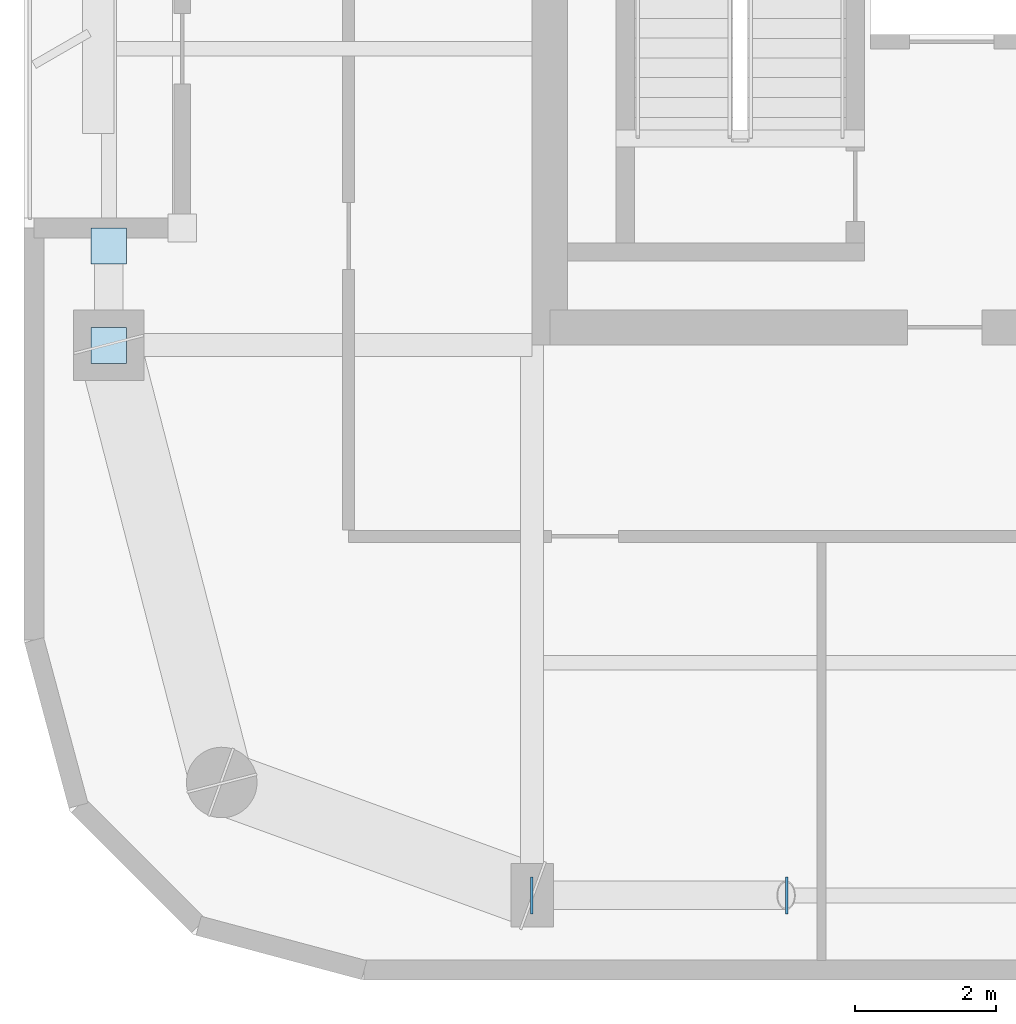
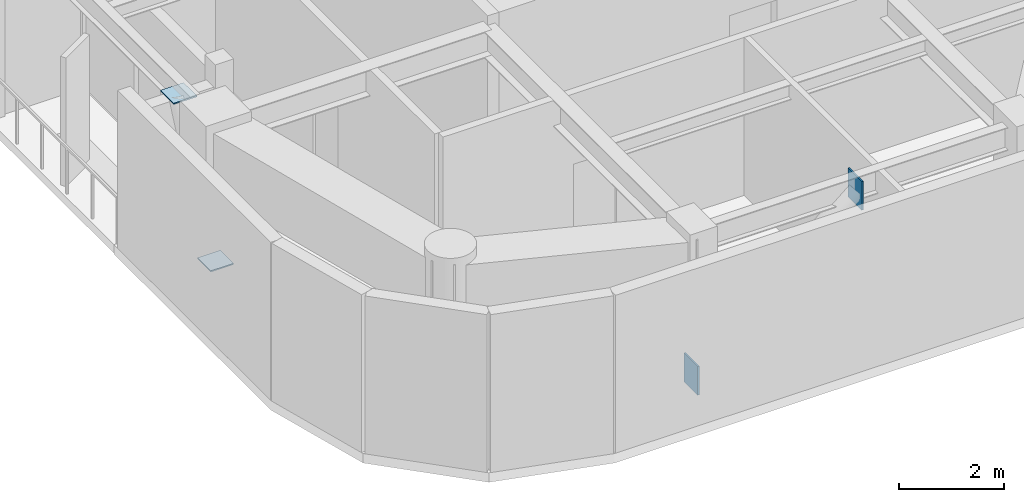
# One storey, part 8 of 15: 4 plates.
"""IFC4 building model written with IfcOpenShell, lengths in metres."""

from ifc_helpers import new_model, si_unit, direction, frame, origin, origin_2d, place, context, subcontext, project, spatial, rectangle, extrude, material, layer, layer_set, type_object, element, save


model = new_model("IFC4")

# Units and contexts
model_context = context("Model", 3, precision=1e-05, world=origin(), true_north=direction((0.0, 1.0)))
body_context = subcontext(model_context, "Body", "Model", "MODEL_VIEW")
ifc_project = project(units=[si_unit("LENGTHUNIT", "METRE"), si_unit("AREAUNIT", "SQUARE_METRE"), si_unit("VOLUMEUNIT", "CUBIC_METRE"), si_unit("PLANEANGLEUNIT", "RADIAN"), si_unit("MASSUNIT", "GRAM", prefix="KILO")], contexts=[model_context])

# Site, building, storey
site_placement = place(None, origin())
site = spatial("IfcSite", under=ifc_project, at=site_placement, CompositionType="ELEMENT")
building_placement = place(site_placement, origin())
building = spatial("IfcBuilding", under=site, at=building_placement, Name="Kiyonajd Concourse Tower", CompositionType="ELEMENT")
storey_placement = place(building_placement, frame((0.0, 0.0, 266.699951171875)))
storey = spatial("IfcBuildingStorey", under=building, at=storey_placement, Name="L67", CompositionType="ELEMENT", Elevation=266.699951171875)

# Plates
ifc_material = material(Name="Steel ASTM A572 Grade 50", Category="steel")
ifc_layer = layer(ifc_material, 0.028076171875)
ifc_layer_set = layer_set([ifc_layer], Name="Steel ASTM A572 Grade 50")
plate_type = type_object("IfcPlateType", Name="PL-CAP-450", PredefinedType="USERDEFINED", material=ifc_layer_set)
for number, where, z_axis, x_axis, name in (
    (1, (32.3916015625, 19.800048828125, -0.04248046875), (0.0, 0.0, 1.0), (-1.0, 0.0, 0.0), "L67 Hollow Brace End Cap Plate PBS"),
    (2, (36.00830078125, 19.800048828125, 3.001708984375), (0.0, 0.0, 1.0), (1.0, 0.0, 0.0), "L67 Hollow Brace Top Cap Plate PBS"),
):
    element("IfcPlate", number, at=place(storey_placement, frame(where, z_axis=z_axis, x_axis=x_axis)), inside=storey, type_object=plate_type, Name=name, ObjectType="CAP PLATE", PredefinedType="USERDEFINED", context=body_context, shape_type="SweptSolid", body=[
        extrude(rectangle(XDim=0.035888671875, YDim=0.52587890625, at=origin_2d()), origin(), (0.0, 0.0, 1.0), 0.6708984375),
    ])
for number, where, z_axis, x_axis, name in (
    (3, (26.39990234375, 27.595458984375, 0.27587890625), (0.0, 0.0, 1.0), (1.0, 0.0, 0.0), "L67 Hollow Brace End Cap Plate PBW"),
    (4, (26.39990234375, 29.004638671875, 3.326171875), (0.0, 0.0, 1.0), (1.0, 0.0, 0.0), "L67 Hollow Brace Top Cap Plate PBW"),
):
    element("IfcPlate", number, at=place(storey_placement, frame(where, z_axis=z_axis, x_axis=x_axis)), inside=storey, type_object=plate_type, Name=name, ObjectType="CAP PLATE", PredefinedType="USERDEFINED", context=body_context, shape_type="SweptSolid", body=[
        extrude(rectangle(XDim=0.506103515625, YDim=0.506103515625, at=origin_2d()), origin(), (0.0, 0.0, 1.0), 0.028076171875),
    ])

save(model, "model.ifc")
